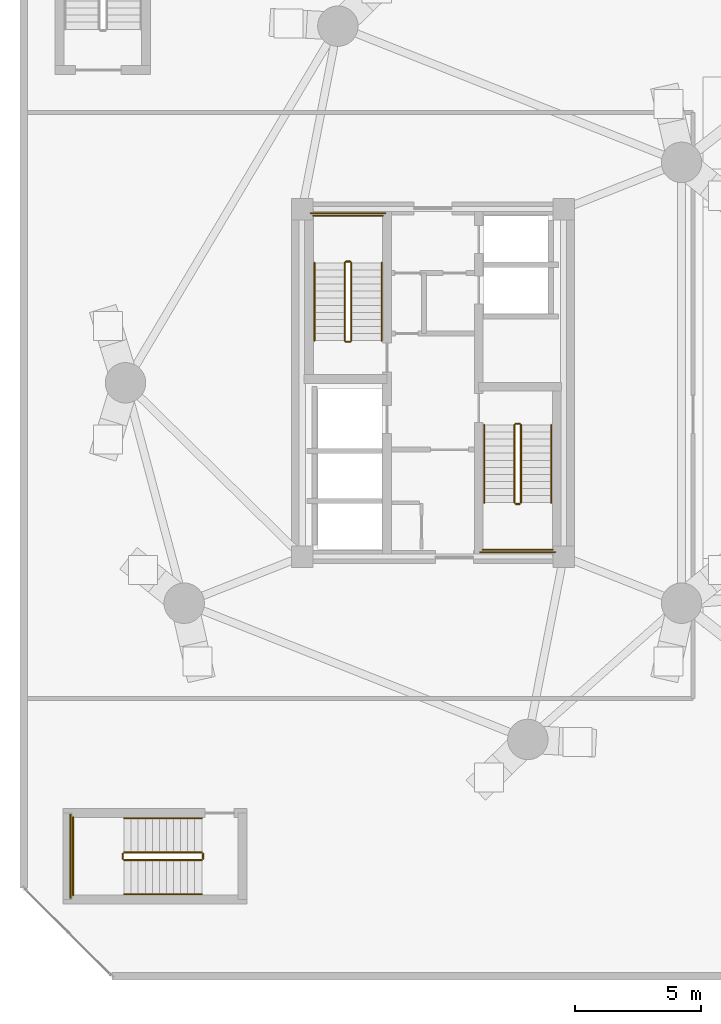
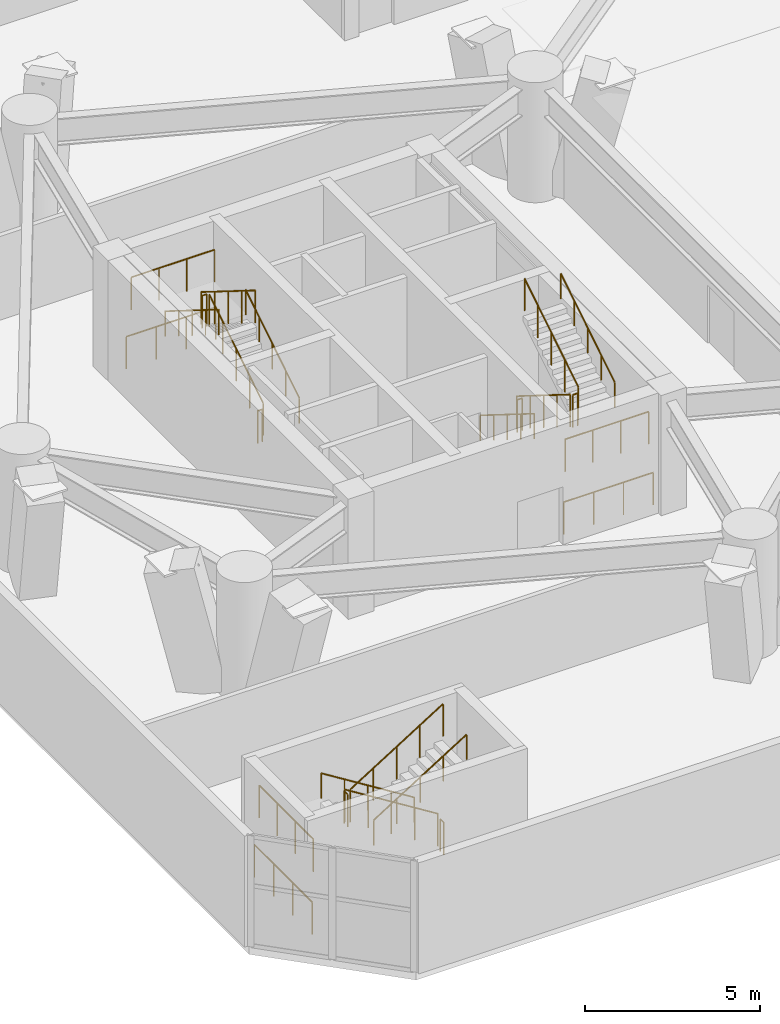
# One storey, part 16 of 20: 24 railings.
"""IFC4 building model written with IfcOpenShell, lengths in metres."""

from ifc_helpers import new_model, si_unit, direction, frame, origin, origin_2d, place, context, subcontext, project, spatial, circle, extrude, material, type_object, element, save


model = new_model("IFC4")

# Units and contexts
model_context = context("Model", 3, precision=1e-05, world=origin(), true_north=direction((0.0, 1.0)))
body_context = subcontext(model_context, "Body", "Model", "MODEL_VIEW")
ifc_project = project(units=[si_unit("LENGTHUNIT", "METRE"), si_unit("AREAUNIT", "SQUARE_METRE"), si_unit("VOLUMEUNIT", "CUBIC_METRE"), si_unit("PLANEANGLEUNIT", "RADIAN"), si_unit("MASSUNIT", "GRAM", prefix="KILO")], contexts=[model_context])

# Site, building, storey
site_placement = place(None, origin())
site = spatial("IfcSite", under=ifc_project, at=site_placement, CompositionType="ELEMENT")
building_placement = place(site_placement, origin())
building = spatial("IfcBuilding", under=site, at=building_placement, Name="Cununo Teusaquillo Station Towers", CompositionType="ELEMENT")
storey_placement = place(building_placement, frame((0.0, 0.0, 4.800048828125)))
storey = spatial("IfcBuildingStorey", under=building, at=storey_placement, Name="L01", CompositionType="ELEMENT", Elevation=4.800048828125)

# Railings
ifc_material_1 = material(Name="Steel EN 10025-2 S355J2", Category="steel")
railing_type_1 = type_object("IfcRailingType", Name="RL-INT-GUARD", PredefinedType="GUARDRAIL", material=ifc_material_1)
railing_1_placement = place(storey_placement, frame((13.27001953125, 26.169921875, 0.175048828125)))
element("IfcRailing", 1, at=railing_1_placement, inside=storey, type_object=railing_type_1, Name="L01 ST-T1-1 stair guard 1", PredefinedType="GUARDRAIL", context=body_context, shape_type="SweptSolid", body=[
    extrude(circle(Radius=0.02392578125, at=origin_2d()), frame((0.0, 0.0, 1.1259765625), z_axis=(0.0, 0.848028513186, 0.529950602248), x_axis=(-1.0, 0.0, 0.0)), (0.0, 0.0, 1.0), 3.632080078125),
    extrude(circle(Radius=0.02099609375, at=origin_2d()), origin(), (0.0, 0.0, 1.0), 1.101806640625),
    extrude(circle(Radius=0.02099609375, at=origin_2d()), frame((0.0, 0.77001953125, 0.481201171875)), (0.0, 0.0, 1.0), 1.101806640625),
    extrude(circle(Radius=0.02099609375, at=origin_2d()), frame((0.0, 1.5400390625, 0.96240234375)), (0.0, 0.0, 1.0), 1.101806640625),
    extrude(circle(Radius=0.02099609375, at=origin_2d()), frame((0.0, 2.31005859375, 1.443603515625)), (0.0, 0.0, 1.0), 1.101806640625),
    extrude(circle(Radius=0.02099609375, at=origin_2d()), frame((0.0, 3.080078125, 1.9248046875)), (0.0, 0.0, 1.0), 1.101806640625),
])
railing_2_placement = place(storey_placement, frame((13.219970703125, 29.300048828125, 2.099853515625)))
element("IfcRailing", 2, at=railing_2_placement, inside=storey, type_object=railing_type_1, Name="L01 ST-T1-1 stair guard 2", PredefinedType="GUARDRAIL", context=body_context, shape_type="SweptSolid", body=[
    extrude(circle(Radius=0.02392578125, at=origin_2d()), frame((0.0, 0.0, 1.1259765625), z_axis=(-1.0, 0.0, 0.0), x_axis=(0.0, -1.0, 0.0)), (0.0, 0.0, 1.0), 0.159912109375),
    extrude(circle(Radius=0.02099609375, at=origin_2d()), origin(), (0.0, 0.0, 1.0), 1.101806640625),
    extrude(circle(Radius=0.02099609375, at=origin_2d()), frame((-0.159912109375, 0.0, 0.0)), (0.0, 0.0, 1.0), 1.101806640625),
])
railing_3_placement = place(storey_placement, frame((14.52001953125, 31.110107421875, 2.099853515625)))
element("IfcRailing", 3, at=railing_3_placement, inside=storey, type_object=railing_type_1, Name="L01 ST-T1-1 stair guard 3", PredefinedType="GUARDRAIL", context=body_context, shape_type="SweptSolid", body=[
    extrude(circle(Radius=0.02392578125, at=origin_2d()), frame((0.0, 0.0, 1.1259765625), z_axis=(-1.0, 0.0, 0.0), x_axis=(0.0, -1.0, 0.0)), (0.0, 0.0, 1.0), 2.760009765625),
    extrude(circle(Radius=0.02099609375, at=origin_2d()), origin(), (0.0, 0.0, 1.0), 1.101806640625),
    extrude(circle(Radius=0.02099609375, at=origin_2d()), frame((-0.919921875, 0.0, 0.0)), (0.0, 0.0, 1.0), 1.101806640625),
    extrude(circle(Radius=0.02099609375, at=origin_2d()), frame((-1.840087890625, 0.0, 0.0)), (0.0, 0.0, 1.0), 1.101806640625),
    extrude(circle(Radius=0.02099609375, at=origin_2d()), frame((-2.760009765625, 0.0, 0.0)), (0.0, 0.0, 1.0), 1.101806640625),
])
railing_4_placement = place(storey_placement, frame((13.010009765625, 29.25, 2.27490234375)))
element("IfcRailing", 4, at=railing_4_placement, inside=storey, type_object=railing_type_1, Name="L01 ST-T1-1 stair guard 4", PredefinedType="GUARDRAIL", context=body_context, shape_type="SweptSolid", body=[
    extrude(circle(Radius=0.02392578125, at=origin_2d()), frame((0.0, 0.0, 1.1259765625), z_axis=(0.0, -0.847998304005, 0.529998940003), x_axis=(1.0, 0.0, 0.0)), (0.0, 0.0, 1.0), 3.632080078125),
    extrude(circle(Radius=0.02099609375, at=origin_2d()), origin(), (0.0, 0.0, 1.0), 1.101806640625),
    extrude(circle(Radius=0.02099609375, at=origin_2d()), frame((0.0, -0.77001953125, 0.481201171875)), (0.0, 0.0, 1.0), 1.101806640625),
    extrude(circle(Radius=0.02099609375, at=origin_2d()), frame((0.0, -1.5400390625, 0.96240234375)), (0.0, 0.0, 1.0), 1.101806640625),
    extrude(circle(Radius=0.02099609375, at=origin_2d()), frame((0.0, -2.31005859375, 1.44384765625)), (0.0, 0.0, 1.0), 1.101806640625),
    extrude(circle(Radius=0.02099609375, at=origin_2d()), frame((0.0, -3.080078125, 1.925048828125)), (0.0, 0.0, 1.0), 1.101806640625),
])
railing_5_placement = place(storey_placement, frame((13.219970703125, 26.1201171875, 0.0)))
element("IfcRailing", 5, at=railing_5_placement, inside=storey, type_object=railing_type_1, Name="L01 ST-T1-1 stair guard 5", PredefinedType="GUARDRAIL", context=body_context, shape_type="SweptSolid", body=[
    extrude(circle(Radius=0.02392578125, at=origin_2d()), frame((0.0, 0.0, 1.1259765625), z_axis=(-1.0, 0.0, 0.0), x_axis=(0.0, -1.0, 0.0)), (0.0, 0.0, 1.0), 0.159912109375),
    extrude(circle(Radius=0.02099609375, at=origin_2d()), origin(), (0.0, 0.0, 1.0), 1.101806640625),
    extrude(circle(Radius=0.02099609375, at=origin_2d()), frame((-0.159912109375, 0.0, 0.0)), (0.0, 0.0, 1.0), 1.101806640625),
])
railing_6_placement = place(storey_placement, frame((14.6201171875, 31.2099609375, 0.0)))
element("IfcRailing", 6, at=railing_6_placement, inside=storey, type_object=railing_type_1, Name="L01 ST-T1-1 stair guard 6", PredefinedType="GUARDRAIL", context=body_context, shape_type="SweptSolid", body=[
    extrude(circle(Radius=0.02392578125, at=origin_2d()), frame((0.0, 0.0, 1.1259765625), z_axis=(-1.0, 0.0, 0.0), x_axis=(0.0, -1.0, 0.0)), (0.0, 0.0, 1.0), 2.960205078125),
    extrude(circle(Radius=0.02099609375, at=origin_2d()), origin(), (0.0, 0.0, 1.0), 1.101806640625),
    extrude(circle(Radius=0.02099609375, at=origin_2d()), frame((-0.98681640625, 0.0, 0.0)), (0.0, 0.0, 1.0), 1.101806640625),
    extrude(circle(Radius=0.02099609375, at=origin_2d()), frame((-1.973388671875, 0.0, 0.0)), (0.0, 0.0, 1.0), 1.101806640625),
    extrude(circle(Radius=0.02099609375, at=origin_2d()), frame((-2.960205078125, 0.0, 0.0)), (0.0, 0.0, 1.0), 1.101806640625),
])
railing_7_placement = place(storey_placement, frame((19.72998046875, 22.830078125, 0.175048828125)))
element("IfcRailing", 7, at=railing_7_placement, inside=storey, type_object=railing_type_1, Name="L01 ST-T1-2 stair guard 1", PredefinedType="GUARDRAIL", context=body_context, shape_type="SweptSolid", body=[
    extrude(circle(Radius=0.02392578125, at=origin_2d()), frame((0.0, 0.0, 1.1259765625), z_axis=(0.0, -0.848028513186, 0.529950602248), x_axis=(1.0, 0.0, 0.0)), (0.0, 0.0, 1.0), 3.632080078125),
    extrude(circle(Radius=0.02099609375, at=origin_2d()), origin(), (0.0, 0.0, 1.0), 1.101806640625),
    extrude(circle(Radius=0.02099609375, at=origin_2d()), frame((0.0, -0.77001953125, 0.481201171875)), (0.0, 0.0, 1.0), 1.101806640625),
    extrude(circle(Radius=0.02099609375, at=origin_2d()), frame((0.0, -1.5400390625, 0.96240234375)), (0.0, 0.0, 1.0), 1.101806640625),
    extrude(circle(Radius=0.02099609375, at=origin_2d()), frame((0.0, -2.31005859375, 1.443603515625)), (0.0, 0.0, 1.0), 1.101806640625),
    extrude(circle(Radius=0.02099609375, at=origin_2d()), frame((0.0, -3.080078125, 1.9248046875)), (0.0, 0.0, 1.0), 1.101806640625),
])
railing_8_placement = place(storey_placement, frame((19.780029296875, 19.699951171875, 2.099853515625)))
element("IfcRailing", 8, at=railing_8_placement, inside=storey, type_object=railing_type_1, Name="L01 ST-T1-2 stair guard 2", PredefinedType="GUARDRAIL", context=body_context, shape_type="SweptSolid", body=[
    extrude(circle(Radius=0.02392578125, at=origin_2d()), frame((0.0, 0.0, 1.1259765625), z_axis=(1.0, 0.0, 0.0), x_axis=(0.0, 1.0, 0.0)), (0.0, 0.0, 1.0), 0.159912109375),
    extrude(circle(Radius=0.02099609375, at=origin_2d()), origin(), (0.0, 0.0, 1.0), 1.101806640625),
    extrude(circle(Radius=0.02099609375, at=origin_2d()), frame((0.159912109375, 0.0, 0.0)), (0.0, 0.0, 1.0), 1.101806640625),
])
railing_9_placement = place(storey_placement, frame((18.47998046875, 17.889892578125, 2.099853515625)))
element("IfcRailing", 9, at=railing_9_placement, inside=storey, type_object=railing_type_1, Name="L01 ST-T1-2 stair guard 3", PredefinedType="GUARDRAIL", context=body_context, shape_type="SweptSolid", body=[
    extrude(circle(Radius=0.02392578125, at=origin_2d()), frame((0.0, 0.0, 1.1259765625), z_axis=(1.0, 0.0, 0.0), x_axis=(0.0, 1.0, 0.0)), (0.0, 0.0, 1.0), 2.760009765625),
    extrude(circle(Radius=0.02099609375, at=origin_2d()), origin(), (0.0, 0.0, 1.0), 1.101806640625),
    extrude(circle(Radius=0.02099609375, at=origin_2d()), frame((0.919921875, 0.0, 0.0)), (0.0, 0.0, 1.0), 1.101806640625),
    extrude(circle(Radius=0.02099609375, at=origin_2d()), frame((1.840087890625, 0.0, 0.0)), (0.0, 0.0, 1.0), 1.101806640625),
    extrude(circle(Radius=0.02099609375, at=origin_2d()), frame((2.760009765625, 0.0, 0.0)), (0.0, 0.0, 1.0), 1.101806640625),
])
railing_10_placement = place(storey_placement, frame((19.989990234375, 19.75, 2.27490234375)))
element("IfcRailing", 10, at=railing_10_placement, inside=storey, type_object=railing_type_1, Name="L01 ST-T1-2 stair guard 4", PredefinedType="GUARDRAIL", context=body_context, shape_type="SweptSolid", body=[
    extrude(circle(Radius=0.02392578125, at=origin_2d()), frame((0.0, 0.0, 1.1259765625), z_axis=(0.0, 0.847998304005, 0.529998940003), x_axis=(-1.0, 0.0, 0.0)), (0.0, 0.0, 1.0), 3.632080078125),
    extrude(circle(Radius=0.02099609375, at=origin_2d()), origin(), (0.0, 0.0, 1.0), 1.101806640625),
    extrude(circle(Radius=0.02099609375, at=origin_2d()), frame((0.0, 0.77001953125, 0.481201171875)), (0.0, 0.0, 1.0), 1.101806640625),
    extrude(circle(Radius=0.02099609375, at=origin_2d()), frame((0.0, 1.5400390625, 0.96240234375)), (0.0, 0.0, 1.0), 1.101806640625),
    extrude(circle(Radius=0.02099609375, at=origin_2d()), frame((0.0, 2.31005859375, 1.44384765625)), (0.0, 0.0, 1.0), 1.101806640625),
    extrude(circle(Radius=0.02099609375, at=origin_2d()), frame((0.0, 3.080078125, 1.925048828125)), (0.0, 0.0, 1.0), 1.101806640625),
])
railing_11_placement = place(storey_placement, frame((19.780029296875, 22.8798828125, 0.0)))
element("IfcRailing", 11, at=railing_11_placement, inside=storey, type_object=railing_type_1, Name="L01 ST-T1-2 stair guard 5", PredefinedType="GUARDRAIL", context=body_context, shape_type="SweptSolid", body=[
    extrude(circle(Radius=0.02392578125, at=origin_2d()), frame((0.0, 0.0, 1.1259765625), z_axis=(1.0, 0.0, 0.0), x_axis=(0.0, 1.0, 0.0)), (0.0, 0.0, 1.0), 0.159912109375),
    extrude(circle(Radius=0.02099609375, at=origin_2d()), origin(), (0.0, 0.0, 1.0), 1.101806640625),
    extrude(circle(Radius=0.02099609375, at=origin_2d()), frame((0.159912109375, 0.0, 0.0)), (0.0, 0.0, 1.0), 1.101806640625),
])
railing_12_placement = place(storey_placement, frame((18.3798828125, 17.7900390625, 0.0)))
element("IfcRailing", 12, at=railing_12_placement, inside=storey, type_object=railing_type_1, Name="L01 ST-T1-2 stair guard 6", PredefinedType="GUARDRAIL", context=body_context, shape_type="SweptSolid", body=[
    extrude(circle(Radius=0.02392578125, at=origin_2d()), frame((0.0, 0.0, 1.1259765625), z_axis=(1.0, 0.0, 0.0), x_axis=(0.0, 1.0, 0.0)), (0.0, 0.0, 1.0), 2.960205078125),
    extrude(circle(Radius=0.02099609375, at=origin_2d()), origin(), (0.0, 0.0, 1.0), 1.101806640625),
    extrude(circle(Radius=0.02099609375, at=origin_2d()), frame((0.98681640625, 0.0, 0.0)), (0.0, 0.0, 1.0), 1.101806640625),
    extrude(circle(Radius=0.02099609375, at=origin_2d()), frame((1.973388671875, 0.0, 0.0)), (0.0, 0.0, 1.0), 1.101806640625),
    extrude(circle(Radius=0.02099609375, at=origin_2d()), frame((2.960205078125, 0.0, 0.0)), (0.0, 0.0, 1.0), 1.101806640625),
])
railing_13_placement = place(storey_placement, frame((7.35009765625, 5.89990234375, 0.175048828125)))
element("IfcRailing", 13, at=railing_13_placement, inside=storey, type_object=railing_type_1, Name="L01 ST-POD-S stair guard 1", PredefinedType="GUARDRAIL", context=body_context, shape_type="SweptSolid", body=[
    extrude(circle(Radius=0.02392578125, at=origin_2d()), frame((0.0, 0.0, 1.1259765625), z_axis=(-0.848028513186, 0.0, 0.529950602248), x_axis=(0.0, -1.0, 0.0)), (0.0, 0.0, 1.0), 3.632080078125),
    extrude(circle(Radius=0.02099609375, at=origin_2d()), origin(), (0.0, 0.0, 1.0), 1.101806640625),
    extrude(circle(Radius=0.02099609375, at=origin_2d()), frame((-0.77001953125, 0.0, 0.481201171875)), (0.0, 0.0, 1.0), 1.101806640625),
    extrude(circle(Radius=0.02099609375, at=origin_2d()), frame((-1.5400390625, 0.0, 0.96240234375)), (0.0, 0.0, 1.0), 1.101806640625),
    extrude(circle(Radius=0.02099609375, at=origin_2d()), frame((-2.31005859375, 0.0, 1.443603515625)), (0.0, 0.0, 1.0), 1.101806640625),
    extrude(circle(Radius=0.02099609375, at=origin_2d()), frame((-3.080078125, 0.0, 1.9248046875)), (0.0, 0.0, 1.0), 1.101806640625),
])
railing_14_placement = place(storey_placement, frame((4.219970703125, 5.85009765625, 2.099853515625)))
element("IfcRailing", 14, at=railing_14_placement, inside=storey, type_object=railing_type_1, Name="L01 ST-POD-S stair guard 2", PredefinedType="GUARDRAIL", context=body_context, shape_type="SweptSolid", body=[
    extrude(circle(Radius=0.02392578125, at=origin_2d()), frame((0.0, 0.0, 1.1259765625), z_axis=(0.0, -1.0, 0.0), x_axis=(1.0, 0.0, 0.0)), (0.0, 0.0, 1.0), 0.2001953125),
    extrude(circle(Radius=0.02099609375, at=origin_2d()), origin(), (0.0, 0.0, 1.0), 1.101806640625),
    extrude(circle(Radius=0.02099609375, at=origin_2d()), frame((0.0, -0.2001953125, 0.0)), (0.0, 0.0, 1.0), 1.101806640625),
])
railing_15_placement = place(storey_placement, frame((2.25, 7.300048828125, 2.099853515625)))
element("IfcRailing", 15, at=railing_15_placement, inside=storey, type_object=railing_type_1, Name="L01 ST-POD-S stair guard 3", PredefinedType="GUARDRAIL", context=body_context, shape_type="SweptSolid", body=[
    extrude(circle(Radius=0.02392578125, at=origin_2d()), frame((0.0, 0.0, 1.1259765625), z_axis=(0.0, -1.0, 0.0), x_axis=(1.0, 0.0, 0.0)), (0.0, 0.0, 1.0), 3.10009765625),
    extrude(circle(Radius=0.02099609375, at=origin_2d()), origin(), (0.0, 0.0, 1.0), 1.101806640625),
    extrude(circle(Radius=0.02099609375, at=origin_2d()), frame((0.0, -1.033447265625, 0.0)), (0.0, 0.0, 1.0), 1.101806640625),
    extrude(circle(Radius=0.02099609375, at=origin_2d()), frame((0.0, -2.066650390625, 0.0)), (0.0, 0.0, 1.0), 1.101806640625),
    extrude(circle(Radius=0.02099609375, at=origin_2d()), frame((0.0, -3.10009765625, 0.0)), (0.0, 0.0, 1.0), 1.101806640625),
])
railing_16_placement = place(storey_placement, frame((4.27001953125, 5.60009765625, 2.27490234375)))
element("IfcRailing", 16, at=railing_16_placement, inside=storey, type_object=railing_type_1, Name="L01 ST-POD-S stair guard 4", PredefinedType="GUARDRAIL", context=body_context, shape_type="SweptSolid", body=[
    extrude(circle(Radius=0.02392578125, at=origin_2d()), frame((0.0, 0.0, 1.1259765625), z_axis=(0.847998304005, 0.0, 0.529998940003), x_axis=(0.0, 1.0, 0.0)), (0.0, 0.0, 1.0), 3.632080078125),
    extrude(circle(Radius=0.02099609375, at=origin_2d()), origin(), (0.0, 0.0, 1.0), 1.101806640625),
    extrude(circle(Radius=0.02099609375, at=origin_2d()), frame((0.77001953125, 0.0, 0.481201171875)), (0.0, 0.0, 1.0), 1.101806640625),
    extrude(circle(Radius=0.02099609375, at=origin_2d()), frame((1.5400390625, 0.0, 0.96240234375)), (0.0, 0.0, 1.0), 1.101806640625),
    extrude(circle(Radius=0.02099609375, at=origin_2d()), frame((2.31005859375, 0.0, 1.44384765625)), (0.0, 0.0, 1.0), 1.101806640625),
    extrude(circle(Radius=0.02099609375, at=origin_2d()), frame((3.080078125, 0.0, 1.925048828125)), (0.0, 0.0, 1.0), 1.101806640625),
])
railing_17_placement = place(storey_placement, frame((7.39990234375, 5.85009765625, 0.0)))
element("IfcRailing", 17, at=railing_17_placement, inside=storey, type_object=railing_type_1, Name="L01 ST-POD-S stair guard 5", PredefinedType="GUARDRAIL", context=body_context, shape_type="SweptSolid", body=[
    extrude(circle(Radius=0.02392578125, at=origin_2d()), frame((0.0, 0.0, 1.1259765625), z_axis=(0.0, -1.0, 0.0), x_axis=(1.0, 0.0, 0.0)), (0.0, 0.0, 1.0), 0.2001953125),
    extrude(circle(Radius=0.02099609375, at=origin_2d()), origin(), (0.0, 0.0, 1.0), 1.101806640625),
    extrude(circle(Radius=0.02099609375, at=origin_2d()), frame((0.0, -0.2001953125, 0.0)), (0.0, 0.0, 1.0), 1.101806640625),
])
railing_18_placement = place(storey_placement, frame((2.14990234375, 7.39990234375, 0.0)))
element("IfcRailing", 18, at=railing_18_placement, inside=storey, type_object=railing_type_1, Name="L01 ST-POD-S stair guard 6", PredefinedType="GUARDRAIL", context=body_context, shape_type="SweptSolid", body=[
    extrude(circle(Radius=0.02392578125, at=origin_2d()), frame((0.0, 0.0, 1.1259765625), z_axis=(0.0, -1.0, 0.0), x_axis=(1.0, 0.0, 0.0)), (0.0, 0.0, 1.0), 3.2998046875),
    extrude(circle(Radius=0.02099609375, at=origin_2d()), origin(), (0.0, 0.0, 1.0), 1.101806640625),
    extrude(circle(Radius=0.02099609375, at=origin_2d()), frame((0.0, -1.099853515625, 0.0)), (0.0, 0.0, 1.0), 1.101806640625),
    extrude(circle(Radius=0.02099609375, at=origin_2d()), frame((0.0, -2.199951171875, 0.0)), (0.0, 0.0, 1.0), 1.101806640625),
    extrude(circle(Radius=0.02099609375, at=origin_2d()), frame((0.0, -3.2998046875, 0.0)), (0.0, 0.0, 1.0), 1.101806640625),
])
ifc_material_2 = material(Name="Steel EN 10025-2 S355J2", Category="steel")
railing_type_2 = type_object("IfcRailingType", Name="RL-INT-HRAIL", PredefinedType="HANDRAIL", material=ifc_material_2)
railing_19_placement = place(storey_placement, frame((14.469970703125, 26.169921875, 0.175048828125)))
element("IfcRailing", 19, at=railing_19_placement, inside=storey, type_object=railing_type_2, Name="L01 ST-T1-1 stair handrail 1", PredefinedType="HANDRAIL", context=body_context, shape_type="SweptSolid", body=[
    extrude(circle(Radius=0.02392578125, at=origin_2d()), frame((0.0, 0.0, 0.8759765625), z_axis=(0.0, 0.848028513186, 0.529950602248), x_axis=(-1.0, 0.0, 0.0)), (0.0, 0.0, 1.0), 3.632080078125),
    extrude(circle(Radius=0.02099609375, at=origin_2d()), origin(), (0.0, 0.0, 1.0), 0.851806640625),
    extrude(circle(Radius=0.02099609375, at=origin_2d()), frame((0.0, 0.77001953125, 0.481201171875)), (0.0, 0.0, 1.0), 0.851806640625),
    extrude(circle(Radius=0.02099609375, at=origin_2d()), frame((0.0, 1.5400390625, 0.96240234375)), (0.0, 0.0, 1.0), 0.851806640625),
    extrude(circle(Radius=0.02099609375, at=origin_2d()), frame((0.0, 2.31005859375, 1.443603515625)), (0.0, 0.0, 1.0), 0.851806640625),
    extrude(circle(Radius=0.02099609375, at=origin_2d()), frame((0.0, 3.080078125, 1.9248046875)), (0.0, 0.0, 1.0), 0.851806640625),
])
railing_20_placement = place(storey_placement, frame((11.81005859375, 29.25, 2.27490234375)))
element("IfcRailing", 20, at=railing_20_placement, inside=storey, type_object=railing_type_2, Name="L01 ST-T1-1 stair handrail 2", PredefinedType="HANDRAIL", context=body_context, shape_type="SweptSolid", body=[
    extrude(circle(Radius=0.02392578125, at=origin_2d()), frame((0.0, 0.0, 0.8759765625), z_axis=(0.0, -0.847998304005, 0.529998940003), x_axis=(1.0, 0.0, 0.0)), (0.0, 0.0, 1.0), 3.632080078125),
    extrude(circle(Radius=0.02099609375, at=origin_2d()), origin(), (0.0, 0.0, 1.0), 0.851806640625),
    extrude(circle(Radius=0.02099609375, at=origin_2d()), frame((0.0, -0.77001953125, 0.481201171875)), (0.0, 0.0, 1.0), 0.851806640625),
    extrude(circle(Radius=0.02099609375, at=origin_2d()), frame((0.0, -1.5400390625, 0.96240234375)), (0.0, 0.0, 1.0), 0.851806640625),
    extrude(circle(Radius=0.02099609375, at=origin_2d()), frame((0.0, -2.31005859375, 1.44384765625)), (0.0, 0.0, 1.0), 0.851806640625),
    extrude(circle(Radius=0.02099609375, at=origin_2d()), frame((0.0, -3.080078125, 1.925048828125)), (0.0, 0.0, 1.0), 0.851806640625),
])
railing_21_placement = place(storey_placement, frame((18.530029296875, 22.830078125, 0.175048828125)))
element("IfcRailing", 21, at=railing_21_placement, inside=storey, type_object=railing_type_2, Name="L01 ST-T1-2 stair handrail 1", PredefinedType="HANDRAIL", context=body_context, shape_type="SweptSolid", body=[
    extrude(circle(Radius=0.02392578125, at=origin_2d()), frame((0.0, 0.0, 0.8759765625), z_axis=(0.0, -0.848028513186, 0.529950602248), x_axis=(1.0, 0.0, 0.0)), (0.0, 0.0, 1.0), 3.632080078125),
    extrude(circle(Radius=0.02099609375, at=origin_2d()), origin(), (0.0, 0.0, 1.0), 0.851806640625),
    extrude(circle(Radius=0.02099609375, at=origin_2d()), frame((0.0, -0.77001953125, 0.481201171875)), (0.0, 0.0, 1.0), 0.851806640625),
    extrude(circle(Radius=0.02099609375, at=origin_2d()), frame((0.0, -1.5400390625, 0.96240234375)), (0.0, 0.0, 1.0), 0.851806640625),
    extrude(circle(Radius=0.02099609375, at=origin_2d()), frame((0.0, -2.31005859375, 1.443603515625)), (0.0, 0.0, 1.0), 0.851806640625),
    extrude(circle(Radius=0.02099609375, at=origin_2d()), frame((0.0, -3.080078125, 1.9248046875)), (0.0, 0.0, 1.0), 0.851806640625),
])
railing_22_placement = place(storey_placement, frame((21.18994140625, 19.75, 2.27490234375)))
element("IfcRailing", 22, at=railing_22_placement, inside=storey, type_object=railing_type_2, Name="L01 ST-T1-2 stair handrail 2", PredefinedType="HANDRAIL", context=body_context, shape_type="SweptSolid", body=[
    extrude(circle(Radius=0.02392578125, at=origin_2d()), frame((0.0, 0.0, 0.8759765625), z_axis=(0.0, 0.847998304005, 0.529998940003), x_axis=(-1.0, 0.0, 0.0)), (0.0, 0.0, 1.0), 3.632080078125),
    extrude(circle(Radius=0.02099609375, at=origin_2d()), origin(), (0.0, 0.0, 1.0), 0.851806640625),
    extrude(circle(Radius=0.02099609375, at=origin_2d()), frame((0.0, 0.77001953125, 0.481201171875)), (0.0, 0.0, 1.0), 0.851806640625),
    extrude(circle(Radius=0.02099609375, at=origin_2d()), frame((0.0, 1.5400390625, 0.96240234375)), (0.0, 0.0, 1.0), 0.851806640625),
    extrude(circle(Radius=0.02099609375, at=origin_2d()), frame((0.0, 2.31005859375, 1.44384765625)), (0.0, 0.0, 1.0), 0.851806640625),
    extrude(circle(Radius=0.02099609375, at=origin_2d()), frame((0.0, 3.080078125, 1.925048828125)), (0.0, 0.0, 1.0), 0.851806640625),
])
railing_23_placement = place(storey_placement, frame((7.35009765625, 7.25, 0.175048828125)))
element("IfcRailing", 23, at=railing_23_placement, inside=storey, type_object=railing_type_2, Name="L01 ST-POD-S stair handrail 1", PredefinedType="HANDRAIL", context=body_context, shape_type="SweptSolid", body=[
    extrude(circle(Radius=0.02392578125, at=origin_2d()), frame((0.0, 0.0, 0.8759765625), z_axis=(-0.848028513186, 0.0, 0.529950602248), x_axis=(0.0, -1.0, 0.0)), (0.0, 0.0, 1.0), 3.632080078125),
    extrude(circle(Radius=0.02099609375, at=origin_2d()), origin(), (0.0, 0.0, 1.0), 0.851806640625),
    extrude(circle(Radius=0.02099609375, at=origin_2d()), frame((-0.77001953125, 0.0, 0.481201171875)), (0.0, 0.0, 1.0), 0.851806640625),
    extrude(circle(Radius=0.02099609375, at=origin_2d()), frame((-1.5400390625, 0.0, 0.96240234375)), (0.0, 0.0, 1.0), 0.851806640625),
    extrude(circle(Radius=0.02099609375, at=origin_2d()), frame((-2.31005859375, 0.0, 1.443603515625)), (0.0, 0.0, 1.0), 0.851806640625),
    extrude(circle(Radius=0.02099609375, at=origin_2d()), frame((-3.080078125, 0.0, 1.9248046875)), (0.0, 0.0, 1.0), 0.851806640625),
])
railing_24_placement = place(storey_placement, frame((4.27001953125, 4.25, 2.27490234375)))
element("IfcRailing", 24, at=railing_24_placement, inside=storey, type_object=railing_type_2, Name="L01 ST-POD-S stair handrail 2", PredefinedType="HANDRAIL", context=body_context, shape_type="SweptSolid", body=[
    extrude(circle(Radius=0.02392578125, at=origin_2d()), frame((0.0, 0.0, 0.8759765625), z_axis=(0.847998304005, 0.0, 0.529998940003), x_axis=(0.0, 1.0, 0.0)), (0.0, 0.0, 1.0), 3.632080078125),
    extrude(circle(Radius=0.02099609375, at=origin_2d()), origin(), (0.0, 0.0, 1.0), 0.851806640625),
    extrude(circle(Radius=0.02099609375, at=origin_2d()), frame((0.77001953125, 0.0, 0.481201171875)), (0.0, 0.0, 1.0), 0.851806640625),
    extrude(circle(Radius=0.02099609375, at=origin_2d()), frame((1.5400390625, 0.0, 0.96240234375)), (0.0, 0.0, 1.0), 0.851806640625),
    extrude(circle(Radius=0.02099609375, at=origin_2d()), frame((2.31005859375, 0.0, 1.44384765625)), (0.0, 0.0, 1.0), 0.851806640625),
    extrude(circle(Radius=0.02099609375, at=origin_2d()), frame((3.080078125, 0.0, 1.925048828125)), (0.0, 0.0, 1.0), 0.851806640625),
])

save(model, "model.ifc")
